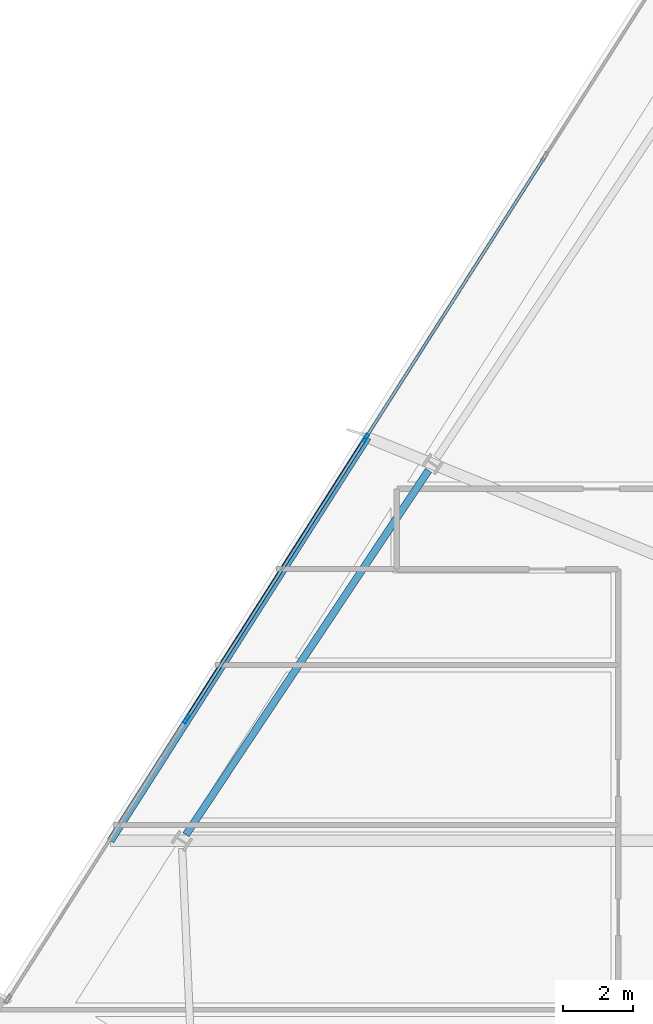
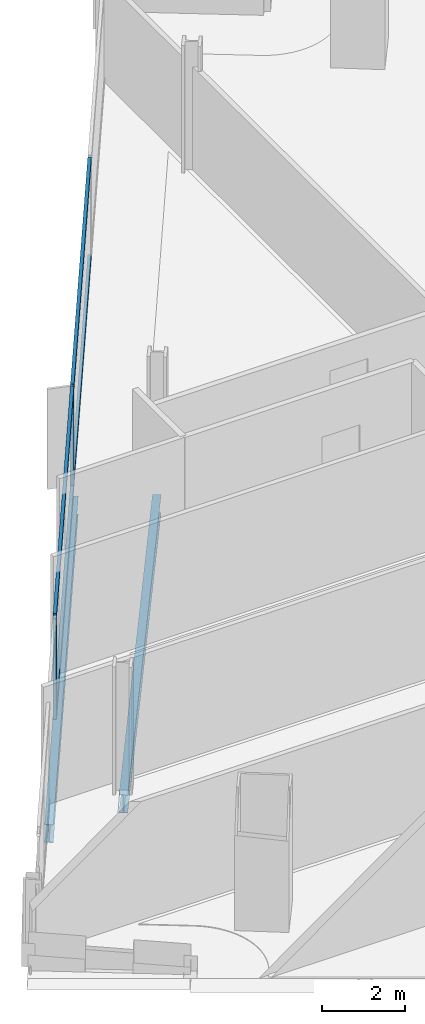
# One storey, part 13 of 30: 6 members, 2 beams, 1 element without a shape of its own.
"""IFC4 building model written with IfcOpenShell, lengths in metres."""

from ifc_helpers import new_model, si_unit, direction, frame, origin, origin_2d, place, context, subcontext, project, spatial, hollow_rectangle, i_section, extrude, material, material_profile, profile_set, type_object, element, aggregate, save


model = new_model("IFC4")

# Units and contexts
model_context = context("Model", 3, precision=1e-05, world=origin(), true_north=direction((0.0, 1.0)))
body_context = subcontext(model_context, "Body", "Model", "MODEL_VIEW")
ifc_project = project(units=[si_unit("LENGTHUNIT", "METRE"), si_unit("AREAUNIT", "SQUARE_METRE"), si_unit("VOLUMEUNIT", "CUBIC_METRE"), si_unit("PLANEANGLEUNIT", "RADIAN"), si_unit("MASSUNIT", "GRAM", prefix="KILO")], contexts=[model_context])

# Site, building, storey
site_placement = place(None, origin())
site = spatial("IfcSite", under=ifc_project, at=site_placement, CompositionType="ELEMENT")
building_placement = place(site_placement, origin())
building = spatial("IfcBuilding", under=site, at=building_placement, Name="Haldenkirk Collegiate Tower", CompositionType="ELEMENT")
storey_placement = place(building_placement, frame((0.0, 0.0, 220.949951171875)))
storey = spatial("IfcBuildingStorey", under=building, at=storey_placement, Name="L55", CompositionType="ELEMENT", Elevation=220.949951171875)

# Beams
ifc_material_1 = material(Name="Steel ASTM A992 Grade 50", Category="steel")
ifc_material_profile_1 = material_profile(ifc_material_1, i_section(OverallWidth=0.2099609375, OverallDepth=0.537109375, WebThickness=0.010986328125, FlangeThickness=0.017333984375, at=origin_2d()), Name="W21X68")
ifc_profile_set_1 = profile_set([ifc_material_profile_1], Name="Steel ASTM A992 Grade 50")
beam_type = type_object("IfcBeamType", Name="BM-SPANDREL-W21X68", PredefinedType="SPANDREL", material=ifc_profile_set_1)
beam_1_placement = place(storey_placement, frame((19.106201171875, 36.98486328125, -0.54833984375), z_axis=(-0.554117024454, -0.832438780458, 0.0), x_axis=(0.832438780458, -0.554117024454, 0.0)))
element("IfcBeam", 1, at=beam_1_placement, inside=storey, type_object=beam_type, Name="L55 perimeter spandrel beam 11", PredefinedType="SPANDREL", context=body_context, shape_type="SweptSolid", body=[
    extrude(i_section(OverallWidth=0.2099609375, OverallDepth=0.537109375, WebThickness=0.010986328125, FlangeThickness=0.017333984375, at=origin_2d()), origin(), (0.0, 0.0, 1.0), 12.562255859375),
])
beam_2_placement = place(storey_placement, frame((17.3583984375, 37.926025390625, -0.54833984375), z_axis=(-0.537308067278, -0.84338605682, 0.0), x_axis=(0.84338605682, -0.537308067278, 0.0)))
element("IfcBeam", 2, at=beam_2_placement, inside=storey, type_object=beam_type, Name="L55 outer facade edge beam 3", PredefinedType="SPANDREL", context=body_context, shape_type="SweptSolid", body=[
    extrude(i_section(OverallWidth=0.2099609375, OverallDepth=0.537109375, WebThickness=0.010986328125, FlangeThickness=0.017333984375, at=origin_2d()), origin(), (0.0, 0.0, 1.0), 13.72900390625),
])

# Curtain wall, members
ifc_material_2 = material(Name="Anodised architectural bronze aluminium", Category="aluminium")
curtain_wall_type = type_object("IfcCurtainWallType", Name="CW-SYS1B-CONVEX-HI", PredefinedType="USERDEFINED", material=ifc_material_2)
curtain_wall_placement = place(storey_placement, origin())
curtain_wall = element("IfcCurtainWall", 3, at=curtain_wall_placement, inside=storey, type_object=curtain_wall_type, Name="L55 Upper tower high-wind convex bronze unitised curtain wall", ObjectType="UNITISED CURTAIN WALL", PredefinedType="USERDEFINED")
ifc_material_profile_2 = material_profile(ifc_material_2, hollow_rectangle(XDim=0.0849609375, YDim=0.25, WallThickness=0.0048828125, at=origin_2d()), Name="CW-MUL-1B")
ifc_profile_set_2 = profile_set([ifc_material_profile_2], Name="Anodised architectural bronze aluminium")
member_type_1 = type_object("IfcMemberType", Name="CW-MUL-1B", PredefinedType="MULLION", material=ifc_profile_set_2)
member_1_placement = place(storey_placement, frame((12.157470703125, 29.83642578125, 0.0), z_axis=(0.0, 0.0, 1.0), x_axis=(-0.843390453731, 0.5373011656, 0.0)))
member_1 = element("IfcMember", 4, at=member_1_placement, type_object=member_type_1, Name="CW-1B mullion 2", PredefinedType="MULLION", context=body_context, shape_type="SweptSolid", body=[
    extrude(hollow_rectangle(XDim=0.0849609375, YDim=0.25, WallThickness=0.0048828125, at=origin_2d()), origin(), (0.0, 0.0, 1.0), 2.927978515625),
])
member_2_placement = place(storey_placement, frame((17.302001953125, 37.911865234375, 0.0), z_axis=(0.0, 0.0, 1.0), x_axis=(-0.843390453731, 0.5373011656, 0.0)))
member_2 = element("IfcMember", 5, at=member_2_placement, type_object=member_type_1, Name="CW-1B mullion 3", PredefinedType="MULLION", context=body_context, shape_type="SweptSolid", body=[
    extrude(hollow_rectangle(XDim=0.0849609375, YDim=0.25, WallThickness=0.0048828125, at=origin_2d()), origin(), (0.0, 0.0, 1.0), 2.927978515625),
])
ifc_material_profile_3 = material_profile(ifc_material_2, hollow_rectangle(XDim=0.0849609375, YDim=0.199951171875, WallThickness=0.0048828125, at=origin_2d()), Name="CW-TRN-1B")
ifc_profile_set_3 = profile_set([ifc_material_profile_3], Name="Anodised architectural bronze aluminium")
member_type_2 = type_object("IfcMemberType", Name="CW-TRN-1B", PredefinedType="USERDEFINED", material=ifc_profile_set_3)
member_3_placement = place(storey_placement, frame((12.18017578125, 29.872314453125, 0.04248046875), z_axis=(0.537298247594, 0.843392312706, 0.0), x_axis=(-0.843392312706, 0.537298247594, 0.0)))
member_3 = element("IfcMember", 6, at=member_3_placement, type_object=member_type_2, Name="CW-1B transom 2.1", ObjectType="TRANSOM", PredefinedType="USERDEFINED", context=body_context, shape_type="SweptSolid", body=[
    extrude(hollow_rectangle(XDim=0.0849609375, YDim=0.199951171875, WallThickness=0.0048828125, at=origin_2d()), origin(), (0.0, 0.0, 1.0), 9.48974609375),
])
member_4_placement = place(storey_placement, frame((12.18017578125, 29.872314453125, 2.885498046875), z_axis=(0.537298247594, 0.843392312706, 0.0), x_axis=(-0.843392312706, 0.537298247594, 0.0)))
member_4 = element("IfcMember", 7, at=member_4_placement, type_object=member_type_2, Name="CW-1B transom 2.2", ObjectType="TRANSOM", PredefinedType="USERDEFINED", context=body_context, shape_type="SweptSolid", body=[
    extrude(hollow_rectangle(XDim=0.0849609375, YDim=0.199951171875, WallThickness=0.0048828125, at=origin_2d()), origin(), (0.0, 0.0, 1.0), 9.48974609375),
])
member_5_placement = place(storey_placement, frame((17.324951171875, 37.94775390625, 0.04248046875), z_axis=(0.537298247594, 0.843392312706, 0.0), x_axis=(-0.843392312706, 0.537298247594, 0.0)))
member_5 = element("IfcMember", 8, at=member_5_placement, type_object=member_type_2, Name="CW-1B transom 3.1", ObjectType="TRANSOM", PredefinedType="USERDEFINED", context=body_context, shape_type="SweptSolid", body=[
    extrude(hollow_rectangle(XDim=0.0849609375, YDim=0.199951171875, WallThickness=0.0048828125, at=origin_2d()), origin(), (0.0, 0.0, 1.0), 9.48974609375),
])
member_6_placement = place(storey_placement, frame((17.324951171875, 37.94775390625, 2.885498046875), z_axis=(0.537298247594, 0.843392312706, 0.0), x_axis=(-0.843392312706, 0.537298247594, 0.0)))
member_6 = element("IfcMember", 9, at=member_6_placement, type_object=member_type_2, Name="CW-1B transom 3.2", ObjectType="TRANSOM", PredefinedType="USERDEFINED", context=body_context, shape_type="SweptSolid", body=[
    extrude(hollow_rectangle(XDim=0.0849609375, YDim=0.199951171875, WallThickness=0.0048828125, at=origin_2d()), origin(), (0.0, 0.0, 1.0), 9.48974609375),
])
aggregate(curtain_wall, [member_1, member_2, member_3, member_4, member_5, member_6])

save(model, "model.ifc")
